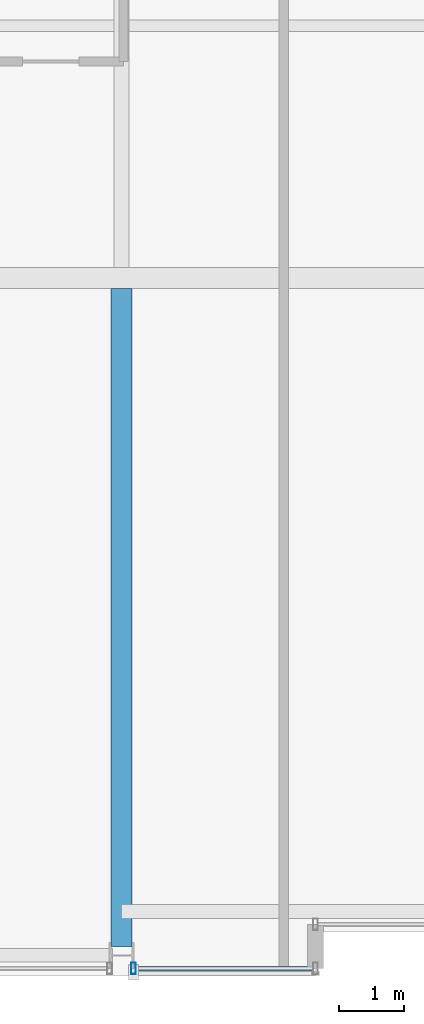
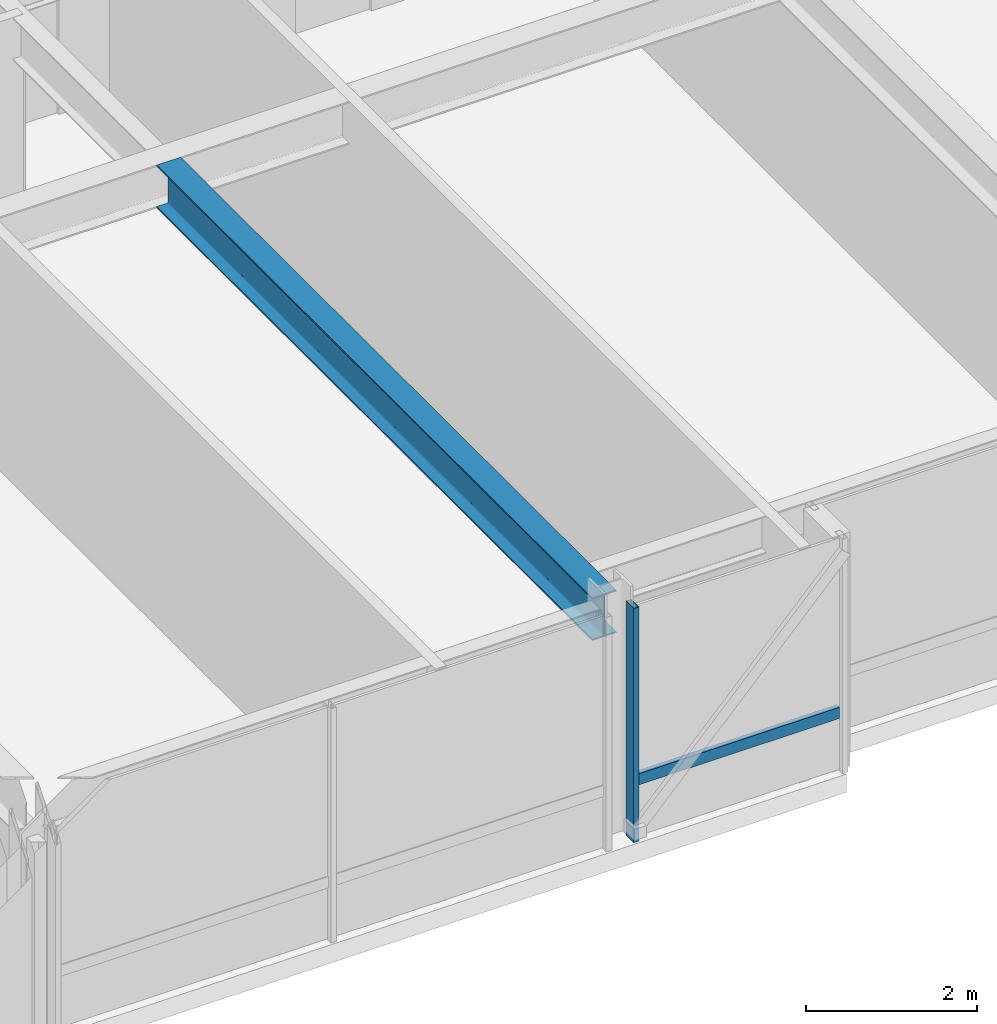
# One storey, part 3 of 34: 2 members, 1 beam, 1 element without a shape of its own.
"""IFC4 building model written with IfcOpenShell, lengths in metres."""

from ifc_helpers import new_model, si_unit, direction, frame, origin, origin_2d, place, context, subcontext, project, spatial, hollow_rectangle, i_section, extrude, material, layer, layer_set, material_profile, profile_set, type_object, element, aggregate, save


model = new_model("IFC4")

# Units and contexts
model_context = context("Model", 3, precision=1e-05, world=origin(), true_north=direction((0.0, 1.0)))
body_context = subcontext(model_context, "Body", "Model", "MODEL_VIEW")
ifc_project = project(units=[si_unit("LENGTHUNIT", "METRE"), si_unit("AREAUNIT", "SQUARE_METRE"), si_unit("VOLUMEUNIT", "CUBIC_METRE"), si_unit("PLANEANGLEUNIT", "RADIAN"), si_unit("MASSUNIT", "GRAM", prefix="KILO")], contexts=[model_context])

# Site, building, storey
site_placement = place(None, origin())
site = spatial("IfcSite", under=ifc_project, at=site_placement, CompositionType="ELEMENT")
building_placement = place(site_placement, origin())
building = spatial("IfcBuilding", under=site, at=building_placement, Name="Drelvath Grand Hotel", CompositionType="ELEMENT")
storey_placement = place(building_placement, frame((0.0, 0.0, 208.699951171875)))
storey = spatial("IfcBuildingStorey", under=building, at=storey_placement, Name="L54", CompositionType="ELEMENT", Elevation=208.699951171875)

# Curtain wall, members
ifc_material_1 = material(Name="Platinum-Mist Anodised Aluminium Frame", Category="aluminium")
ifc_layer = layer(ifc_material_1, 0.199951171875)
ifc_layer_set = layer_set([ifc_layer], Name="Platinum-Mist Anodised Aluminium Frame")
curtain_wall_type = type_object("IfcCurtainWallType", Name="Stick Curtain Wall CW-05 Platinum Mist High-Rise", PredefinedType="NOTDEFINED", material=ifc_layer_set)
curtain_wall_placement = place(storey_placement, origin())
curtain_wall = element("IfcCurtainWall", 1, at=curtain_wall_placement, inside=storey, type_object=curtain_wall_type, Name="L54 CW-05 Curtain Wall CW05-L54-SW3", PredefinedType="NOTDEFINED")
ifc_material_profile_1 = material_profile(ifc_material_1, hollow_rectangle(XDim=0.06494140625, YDim=0.159912109375, WallThickness=0.00390625, at=origin_2d()), Name="HSS160X65X4")
ifc_profile_set_1 = profile_set([ifc_material_profile_1], Name="Platinum-Mist Anodised Aluminium Frame")
member_type_1 = type_object("IfcMemberType", Name="Curtain Wall Horizontal Transom CW-05 HSS160X65X4", PredefinedType="USERDEFINED", material=ifc_profile_set_1)
member_1_placement = place(storey_placement, frame((-5.43994140625, 0.1201171875, 0.8349609375), z_axis=(-1.0, 0.0, 0.0), x_axis=(0.0, -1.0, 0.0)))
member_1 = element("IfcMember", 2, at=member_1_placement, type_object=member_type_1, Name="CW05-L54-SW3 Sill Transom", ObjectType="TRANSOM", PredefinedType="USERDEFINED", context=body_context, shape_type="SweptSolid", body=[
    extrude(hollow_rectangle(XDim=0.06494140625, YDim=0.159912109375, WallThickness=0.00390625, at=origin_2d()), origin(), (0.0, 0.0, 1.0), 2.73486328125),
])
ifc_material_profile_2 = material_profile(ifc_material_1, hollow_rectangle(XDim=0.074951171875, YDim=0.179931640625, WallThickness=0.0048828125, at=origin_2d()), Name="HSS180X75X5")
ifc_profile_set_2 = profile_set([ifc_material_profile_2], Name="Platinum-Mist Anodised Aluminium Frame")
member_type_2 = type_object("IfcMemberType", Name="Curtain Wall Vertical Mullion CW-05 HSS180X75X5", PredefinedType="MULLION", material=ifc_profile_set_2)
member_2_placement = place(storey_placement, frame((-8.214599609375, 0.1201171875, 0.0), z_axis=(0.0, 0.0, 1.0), x_axis=(1.0, 0.0, 0.0)))
member_2 = element("IfcMember", 3, at=member_2_placement, type_object=member_type_2, Name="CW05-L54-SW3 Mullion 2", PredefinedType="MULLION", context=body_context, shape_type="SweptSolid", body=[
    extrude(hollow_rectangle(XDim=0.074951171875, YDim=0.179931640625, WallThickness=0.0048828125, at=origin_2d()), origin(), (0.0, 0.0, 1.0), 3.340087890625),
])
aggregate(curtain_wall, [member_2, member_1])

# Beam
ifc_material_2 = material(Name="Steel ASTM A992 Gr 50", Category="steel")
ifc_material_profile_3 = material_profile(ifc_material_2, i_section(OverallWidth=0.323974609375, OverallDepth=0.611083984375, WebThickness=0.0126953125, FlangeThickness=0.01904296875, FilletRadius=0.02197265625, at=origin_2d()), Name="W24X104")
ifc_profile_set_3 = profile_set([ifc_material_profile_3], Name="Steel ASTM A992 Gr 50")
beam_type = type_object("IfcBeamType", Name="Primary Floor Girder W24X104", PredefinedType="BEAM", material=ifc_profile_set_3)
beam_placement = place(storey_placement, frame((-8.39990234375, 0.4599609375, 3.034423828125), z_axis=(0.0, 1.0, 0.0), x_axis=(-1.0, 0.0, 0.0)))
element("IfcBeam", 4, at=beam_placement, inside=storey, type_object=beam_type, Name="L54 South Wing Girder 4", PredefinedType="BEAM", context=body_context, shape_type="SweptSolid", body=[
    extrude(i_section(OverallWidth=0.323974609375, OverallDepth=0.611083984375, WebThickness=0.0126953125, FlangeThickness=0.01904296875, FilletRadius=0.02197265625, at=origin_2d()), origin(), (0.0, 0.0, 1.0), 10.177978515625),
])

save(model, "model.ifc")
